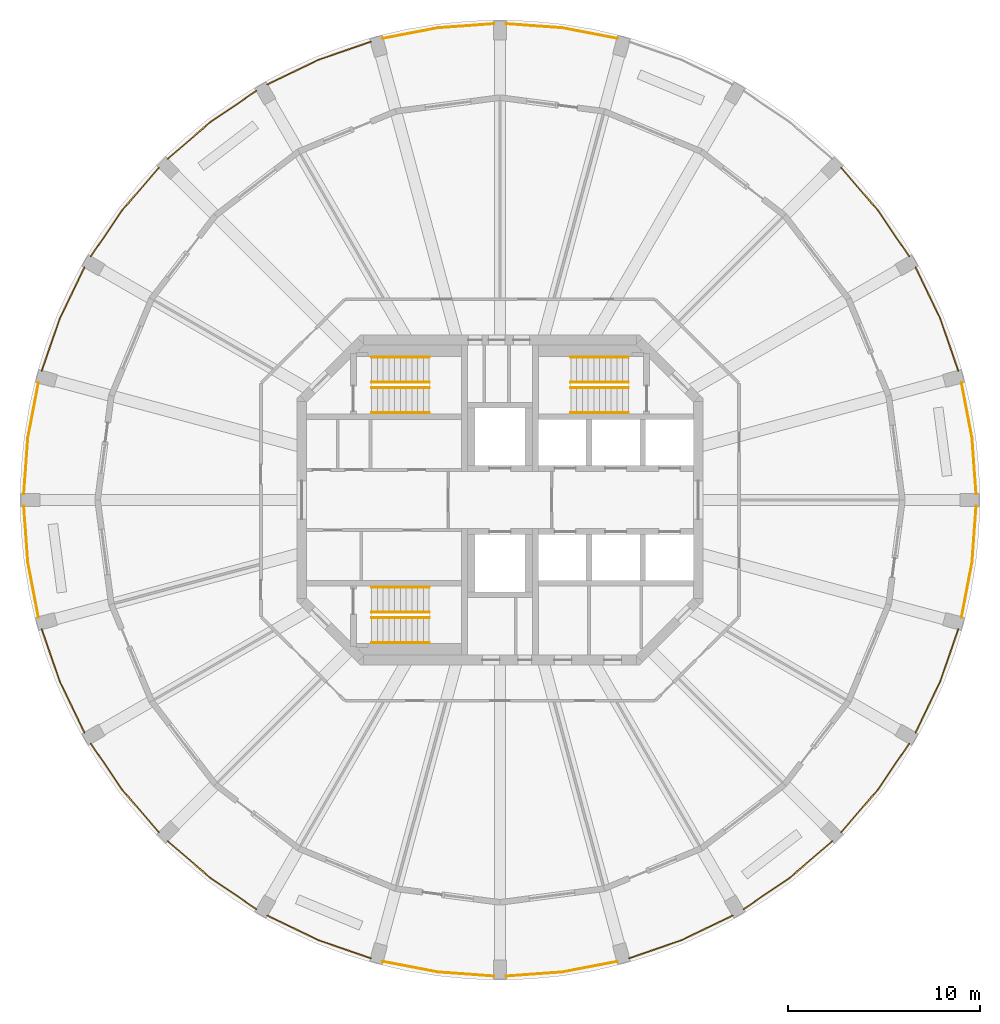
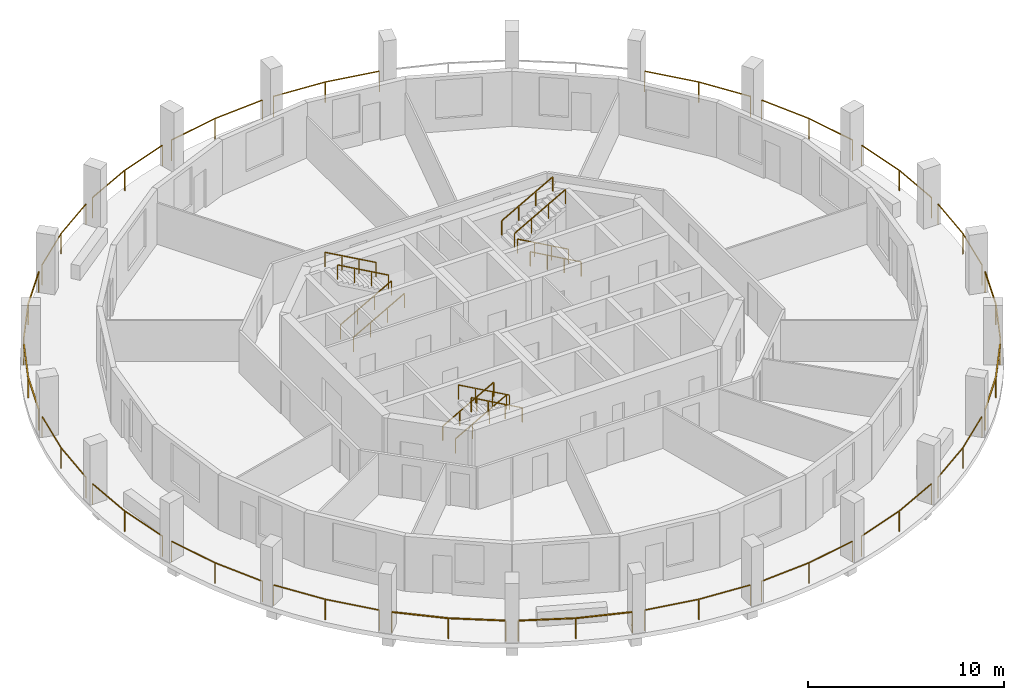
# One storey, part 7 of 8: 34 railings.
"""IFC4 building model written with IfcOpenShell, lengths in metres."""

from ifc_helpers import new_model, si_unit, direction, frame, origin, origin_2d, place, context, subcontext, project, spatial, rectangle, extrude, material, type_object, element, save


model = new_model("IFC4")

# Units and contexts
model_context = context("Model", 3, precision=1e-05, world=origin(), true_north=direction((0.0, 1.0)))
body_context = subcontext(model_context, "Body", "Model", "MODEL_VIEW")
ifc_project = project(units=[si_unit("LENGTHUNIT", "METRE"), si_unit("AREAUNIT", "SQUARE_METRE"), si_unit("VOLUMEUNIT", "CUBIC_METRE"), si_unit("PLANEANGLEUNIT", "RADIAN"), si_unit("MASSUNIT", "GRAM", prefix="KILO")], contexts=[model_context])

# Site, building, storey
site_placement = place(None, origin())
site = spatial("IfcSite", under=ifc_project, at=site_placement, CompositionType="ELEMENT")
building_placement = place(site_placement, origin())
building = spatial("IfcBuilding", under=site, at=building_placement, Name="Torre Triforio", CompositionType="ELEMENT")
storey_placement = place(building_placement, frame((0.0, 0.0, 253.800048828125)))
storey = spatial("IfcBuildingStorey", under=building, at=storey_placement, Name="L58", CompositionType="ELEMENT", Elevation=253.800048828125)

# Railings
ifc_material = material(Name="Stainless steel AISI 316", Category="steel")
railing_type_1 = type_object("IfcRailingType", Name="HANDRAIL 920", PredefinedType="HANDRAIL", material=ifc_material)
for number, where, name in (
    (1, (-6.699951171875, 4.550048828125, 0.168212890625), "Handrail ST1"),
    (2, (-6.699951171875, 5.85009765625, 0.168212890625), "Handrail ST1"),
):
    element("IfcRailing", number, at=place(storey_placement, frame(where)), inside=storey, type_object=railing_type_1, Name=name, PredefinedType="HANDRAIL", context=body_context, shape_type="SweptSolid", body=[
        extrude(rectangle(XDim=0.048095703125, YDim=0.048095703125, at=origin_2d()), frame((0.0, 0.0, 0.89599609375), z_axis=(0.872302573547, 0.0, 0.488966481656), x_axis=(0.0, 1.0, 0.0)), (0.0, 0.0, 1.0), 3.439208984375),
        extrude(rectangle(XDim=0.0419921875, YDim=0.0419921875, at=origin_2d()), origin(), (0.0, 0.0, 1.0), 0.871826171875),
        extrude(rectangle(XDim=0.0419921875, YDim=0.0419921875, at=origin_2d()), frame((1.0, 0.0, 0.560546875)), (0.0, 0.0, 1.0), 0.871826171875),
        extrude(rectangle(XDim=0.0419921875, YDim=0.0419921875, at=origin_2d()), frame((2.0, 0.0, 1.12109375)), (0.0, 0.0, 1.0), 0.871826171875),
        extrude(rectangle(XDim=0.0419921875, YDim=0.0419921875, at=origin_2d()), frame((3.0, 0.0, 1.681640625)), (0.0, 0.0, 1.0), 0.871826171875),
    ])
for number, where, name in (
    (3, (-3.699951171875, 7.449951171875, 2.01806640625), "Handrail ST1"),
    (4, (-3.699951171875, 6.14990234375, 2.01806640625), "Handrail ST1"),
):
    element("IfcRailing", number, at=place(storey_placement, frame(where)), inside=storey, type_object=railing_type_1, Name=name, PredefinedType="HANDRAIL", context=body_context, shape_type="SweptSolid", body=[
        extrude(rectangle(XDim=0.048095703125, YDim=0.048095703125, at=origin_2d()), frame((0.0, 0.0, 0.89599609375), z_axis=(-0.872272294576, 0.0, 0.489020494575), x_axis=(0.0, -1.0, 0.0)), (0.0, 0.0, 1.0), 3.439208984375),
        extrude(rectangle(XDim=0.0419921875, YDim=0.0419921875, at=origin_2d()), origin(), (0.0, 0.0, 1.0), 0.871826171875),
        extrude(rectangle(XDim=0.0419921875, YDim=0.0419921875, at=origin_2d()), frame((-1.0, 0.0, 0.560546875)), (0.0, 0.0, 1.0), 0.871826171875),
        extrude(rectangle(XDim=0.0419921875, YDim=0.0419921875, at=origin_2d()), frame((-2.0, 0.0, 1.121337890625)), (0.0, 0.0, 1.0), 0.871826171875),
        extrude(rectangle(XDim=0.0419921875, YDim=0.0419921875, at=origin_2d()), frame((-3.0, 0.0, 1.681884765625)), (0.0, 0.0, 1.0), 0.871826171875),
    ])
for number, where, name in (
    (5, (6.699951171875, 4.550048828125, 0.168212890625), "Handrail ST2"),
    (6, (6.699951171875, 5.85009765625, 0.168212890625), "Handrail ST2"),
):
    element("IfcRailing", number, at=place(storey_placement, frame(where)), inside=storey, type_object=railing_type_1, Name=name, PredefinedType="HANDRAIL", context=body_context, shape_type="SweptSolid", body=[
        extrude(rectangle(XDim=0.048095703125, YDim=0.048095703125, at=origin_2d()), frame((0.0, 0.0, 0.89599609375), z_axis=(-0.872302573547, 0.0, 0.488966481656), x_axis=(0.0, -1.0, 0.0)), (0.0, 0.0, 1.0), 3.439208984375),
        extrude(rectangle(XDim=0.0419921875, YDim=0.0419921875, at=origin_2d()), origin(), (0.0, 0.0, 1.0), 0.871826171875),
        extrude(rectangle(XDim=0.0419921875, YDim=0.0419921875, at=origin_2d()), frame((-1.0, 0.0, 0.560546875)), (0.0, 0.0, 1.0), 0.871826171875),
        extrude(rectangle(XDim=0.0419921875, YDim=0.0419921875, at=origin_2d()), frame((-2.0, 0.0, 1.12109375)), (0.0, 0.0, 1.0), 0.871826171875),
        extrude(rectangle(XDim=0.0419921875, YDim=0.0419921875, at=origin_2d()), frame((-3.0, 0.0, 1.681640625)), (0.0, 0.0, 1.0), 0.871826171875),
    ])
for number, where, name in (
    (7, (3.699951171875, 7.449951171875, 2.01806640625), "Handrail ST2"),
    (8, (3.699951171875, 6.14990234375, 2.01806640625), "Handrail ST2"),
):
    element("IfcRailing", number, at=place(storey_placement, frame(where)), inside=storey, type_object=railing_type_1, Name=name, PredefinedType="HANDRAIL", context=body_context, shape_type="SweptSolid", body=[
        extrude(rectangle(XDim=0.048095703125, YDim=0.048095703125, at=origin_2d()), frame((0.0, 0.0, 0.89599609375), z_axis=(0.872272294576, 0.0, 0.489020494575), x_axis=(0.0, 1.0, 0.0)), (0.0, 0.0, 1.0), 3.439208984375),
        extrude(rectangle(XDim=0.0419921875, YDim=0.0419921875, at=origin_2d()), origin(), (0.0, 0.0, 1.0), 0.871826171875),
        extrude(rectangle(XDim=0.0419921875, YDim=0.0419921875, at=origin_2d()), frame((1.0, 0.0, 0.560546875)), (0.0, 0.0, 1.0), 0.871826171875),
        extrude(rectangle(XDim=0.0419921875, YDim=0.0419921875, at=origin_2d()), frame((2.0, 0.0, 1.121337890625)), (0.0, 0.0, 1.0), 0.871826171875),
        extrude(rectangle(XDim=0.0419921875, YDim=0.0419921875, at=origin_2d()), frame((3.0, 0.0, 1.681884765625)), (0.0, 0.0, 1.0), 0.871826171875),
    ])
for number, where, name in (
    (9, (-6.699951171875, -4.550048828125, 0.168212890625), "Handrail ST3"),
    (10, (-6.699951171875, -5.85009765625, 0.168212890625), "Handrail ST3"),
):
    element("IfcRailing", number, at=place(storey_placement, frame(where)), inside=storey, type_object=railing_type_1, Name=name, PredefinedType="HANDRAIL", context=body_context, shape_type="SweptSolid", body=[
        extrude(rectangle(XDim=0.048095703125, YDim=0.048095703125, at=origin_2d()), frame((0.0, 0.0, 0.89599609375), z_axis=(0.872302573547, 0.0, 0.488966481656), x_axis=(0.0, 1.0, 0.0)), (0.0, 0.0, 1.0), 3.439208984375),
        extrude(rectangle(XDim=0.0419921875, YDim=0.0419921875, at=origin_2d()), origin(), (0.0, 0.0, 1.0), 0.871826171875),
        extrude(rectangle(XDim=0.0419921875, YDim=0.0419921875, at=origin_2d()), frame((1.0, 0.0, 0.560546875)), (0.0, 0.0, 1.0), 0.871826171875),
        extrude(rectangle(XDim=0.0419921875, YDim=0.0419921875, at=origin_2d()), frame((2.0, 0.0, 1.12109375)), (0.0, 0.0, 1.0), 0.871826171875),
        extrude(rectangle(XDim=0.0419921875, YDim=0.0419921875, at=origin_2d()), frame((3.0, 0.0, 1.681640625)), (0.0, 0.0, 1.0), 0.871826171875),
    ])
for number, where, name in (
    (11, (-3.699951171875, -7.449951171875, 2.01806640625), "Handrail ST3"),
    (12, (-3.699951171875, -6.14990234375, 2.01806640625), "Handrail ST3"),
):
    element("IfcRailing", number, at=place(storey_placement, frame(where)), inside=storey, type_object=railing_type_1, Name=name, PredefinedType="HANDRAIL", context=body_context, shape_type="SweptSolid", body=[
        extrude(rectangle(XDim=0.048095703125, YDim=0.048095703125, at=origin_2d()), frame((0.0, 0.0, 0.89599609375), z_axis=(-0.872272294576, 0.0, 0.489020494575), x_axis=(0.0, -1.0, 0.0)), (0.0, 0.0, 1.0), 3.439208984375),
        extrude(rectangle(XDim=0.0419921875, YDim=0.0419921875, at=origin_2d()), origin(), (0.0, 0.0, 1.0), 0.871826171875),
        extrude(rectangle(XDim=0.0419921875, YDim=0.0419921875, at=origin_2d()), frame((-1.0, 0.0, 0.560546875)), (0.0, 0.0, 1.0), 0.871826171875),
        extrude(rectangle(XDim=0.0419921875, YDim=0.0419921875, at=origin_2d()), frame((-2.0, 0.0, 1.121337890625)), (0.0, 0.0, 1.0), 0.871826171875),
        extrude(rectangle(XDim=0.0419921875, YDim=0.0419921875, at=origin_2d()), frame((-3.0, 0.0, 1.681884765625)), (0.0, 0.0, 1.0), 0.871826171875),
    ])
railing_type_2 = type_object("IfcRailingType", Name="Loggia guard 1300", PredefinedType="GUARDRAIL", material=ifc_material)
railing_1_placement = place(storey_placement, frame((24.85009765625, 0.320068359375, 0.0)))
element("IfcRailing", 13, at=railing_1_placement, inside=storey, type_object=railing_type_2, Name="Loggia guard L58 bay 01", PredefinedType="GUARDRAIL", context=body_context, shape_type="SweptSolid", body=[
    extrude(rectangle(XDim=0.050048828125, YDim=0.050048828125, at=origin_2d()), frame((0.0, 0.0, 1.27490234375), z_axis=(-0.072543227511, 0.997365269168, 0.0), x_axis=(-0.997365269168, -0.072543227511, 0.0)), (0.0, 0.0, 1.0), 2.931396484375),
    extrude(rectangle(XDim=0.050048828125, YDim=0.050048828125, at=origin_2d()), frame((-0.212646484375, 2.923583984375, 1.27490234375), z_axis=(-0.188068851895, 0.982155846568, 0.0), x_axis=(-0.982155846568, -0.188068851895, 0.0)), (0.0, 0.0, 1.0), 2.93115234375),
    extrude(rectangle(XDim=0.0400390625, YDim=0.0400390625, at=origin_2d()), origin(), (0.0, 0.0, 1.0), 1.25),
    extrude(rectangle(XDim=0.0400390625, YDim=0.0400390625, at=origin_2d()), frame((-0.212646484375, 2.923583984375, 0.0)), (0.0, 0.0, 1.0), 1.25),
    extrude(rectangle(XDim=0.0400390625, YDim=0.0400390625, at=origin_2d()), frame((-0.763916015625, 5.802490234375, 0.0)), (0.0, 0.0, 1.0), 1.25),
])
railing_2_placement = place(storey_placement, frame((23.92041015625, 6.74072265625, 0.0)))
element("IfcRailing", 14, at=railing_2_placement, inside=storey, type_object=railing_type_2, Name="Loggia guard L58 bay 02", PredefinedType="GUARDRAIL", context=body_context, shape_type="SweptSolid", body=[
    extrude(rectangle(XDim=0.050048828125, YDim=0.050048828125, at=origin_2d()), frame((0.0, 0.0, 1.27490234375), z_axis=(-0.328145883403, 0.944627058264, 0.0), x_axis=(-0.944627058264, -0.328145883403, 0.0)), (0.0, 0.0, 1.0), 2.931396484375),
    extrude(rectangle(XDim=0.050048828125, YDim=0.050048828125, at=origin_2d()), frame((-0.9619140625, 2.76904296875, 1.27490234375), z_axis=(-0.435917913275, 0.899986429279, 0.0), x_axis=(-0.899986429279, -0.435917913275, 0.0)), (0.0, 0.0, 1.0), 2.931396484375),
    extrude(rectangle(XDim=0.0400390625, YDim=0.0400390625, at=origin_2d()), origin(), (0.0, 0.0, 1.0), 1.25),
    extrude(rectangle(XDim=0.0400390625, YDim=0.0400390625, at=origin_2d()), frame((-0.9619140625, 2.76904296875, 0.0)), (0.0, 0.0, 1.0), 1.25),
    extrude(rectangle(XDim=0.0400390625, YDim=0.0400390625, at=origin_2d()), frame((-2.23974609375, 5.4072265625, 0.0)), (0.0, 0.0, 1.0), 1.25),
])
railing_3_placement = place(storey_placement, frame((21.360595703125, 12.7021484375, 0.0)))
element("IfcRailing", 15, at=railing_3_placement, inside=storey, type_object=railing_type_2, Name="Loggia guard L58 bay 03", PredefinedType="GUARDRAIL", context=body_context, shape_type="SweptSolid", body=[
    extrude(rectangle(XDim=0.050048828125, YDim=0.050048828125, at=origin_2d()), frame((0.0, 0.0, 1.27490234375), z_axis=(-0.561466791934, 0.827499269821, 0.0), x_axis=(-0.827499269821, -0.561466791934, 0.0)), (0.0, 0.0, 1.0), 2.93115234375),
    extrude(rectangle(XDim=0.050048828125, YDim=0.050048828125, at=origin_2d()), frame((-1.645751953125, 2.425537109375, 1.27490234375), z_axis=(-0.653981928353, 0.756510170049, 0.0), x_axis=(-0.756510170049, -0.653981928353, 0.0)), (0.0, 0.0, 1.0), 2.93115234375),
    extrude(rectangle(XDim=0.0400390625, YDim=0.0400390625, at=origin_2d()), origin(), (0.0, 0.0, 1.0), 1.25),
    extrude(rectangle(XDim=0.0400390625, YDim=0.0400390625, at=origin_2d()), frame((-1.645751953125, 2.425537109375, 0.0)), (0.0, 0.0, 1.0), 1.25),
    extrude(rectangle(XDim=0.0400390625, YDim=0.0400390625, at=origin_2d()), frame((-3.562744140625, 4.64306640625, 0.0)), (0.0, 0.0, 1.0), 1.25),
])
railing_4_placement = place(storey_placement, frame((6.12255859375, 24.086181640625, 0.0)))
element("IfcRailing", 16, at=railing_4_placement, inside=storey, type_object=railing_type_2, Name="Loggia guard L58 bay 06", PredefinedType="GUARDRAIL", context=body_context, shape_type="SweptSolid", body=[
    extrude(rectangle(XDim=0.050048828125, YDim=0.050048828125, at=origin_2d()), frame((0.0, 0.0, 1.27490234375), z_axis=(-0.982155846568, 0.188068851895, 0.0), x_axis=(-0.188068851895, -0.982155846568, 0.0)), (0.0, 0.0, 1.0), 2.93115234375),
    extrude(rectangle(XDim=0.050048828125, YDim=0.050048828125, at=origin_2d()), frame((-2.87890625, 0.55126953125, 1.27490234375), z_axis=(-0.997365269168, 0.072543227511, 0.0), x_axis=(-0.072543227511, -0.997365269168, 0.0)), (0.0, 0.0, 1.0), 2.931396484375),
    extrude(rectangle(XDim=0.0400390625, YDim=0.0400390625, at=origin_2d()), origin(), (0.0, 0.0, 1.0), 1.25),
    extrude(rectangle(XDim=0.0400390625, YDim=0.0400390625, at=origin_2d()), frame((-2.87890625, 0.55126953125, 0.0)), (0.0, 0.0, 1.0), 1.25),
    extrude(rectangle(XDim=0.0400390625, YDim=0.0400390625, at=origin_2d()), frame((-5.802490234375, 0.763916015625, 0.0)), (0.0, 0.0, 1.0), 1.25),
])
railing_5_placement = place(storey_placement, frame((-0.320068359375, 24.85009765625, 0.0)))
element("IfcRailing", 17, at=railing_5_placement, inside=storey, type_object=railing_type_2, Name="Loggia guard L58 bay 07", PredefinedType="GUARDRAIL", context=body_context, shape_type="SweptSolid", body=[
    extrude(rectangle(XDim=0.050048828125, YDim=0.050048828125, at=origin_2d()), frame((0.0, 0.0, 1.27490234375), z_axis=(-0.997365269168, -0.072543227511, 0.0), x_axis=(0.072543227511, -0.997365269168, 0.0)), (0.0, 0.0, 1.0), 2.931396484375),
    extrude(rectangle(XDim=0.050048828125, YDim=0.050048828125, at=origin_2d()), frame((-2.923583984375, -0.212646484375, 1.27490234375), z_axis=(-0.982155846568, -0.188068851895, 0.0), x_axis=(0.188068851895, -0.982155846568, 0.0)), (0.0, 0.0, 1.0), 2.93115234375),
    extrude(rectangle(XDim=0.0400390625, YDim=0.0400390625, at=origin_2d()), origin(), (0.0, 0.0, 1.0), 1.25),
    extrude(rectangle(XDim=0.0400390625, YDim=0.0400390625, at=origin_2d()), frame((-2.923583984375, -0.212646484375, 0.0)), (0.0, 0.0, 1.0), 1.25),
    extrude(rectangle(XDim=0.0400390625, YDim=0.0400390625, at=origin_2d()), frame((-5.802490234375, -0.763916015625, 0.0)), (0.0, 0.0, 1.0), 1.25),
])
railing_6_placement = place(storey_placement, frame((-6.74072265625, 23.92041015625, 0.0)))
element("IfcRailing", 18, at=railing_6_placement, inside=storey, type_object=railing_type_2, Name="Loggia guard L58 bay 08", PredefinedType="GUARDRAIL", context=body_context, shape_type="SweptSolid", body=[
    extrude(rectangle(XDim=0.050048828125, YDim=0.050048828125, at=origin_2d()), frame((0.0, 0.0, 1.27490234375), z_axis=(-0.944627058264, -0.328145883403, 0.0), x_axis=(0.328145883403, -0.944627058264, 0.0)), (0.0, 0.0, 1.0), 2.931396484375),
    extrude(rectangle(XDim=0.050048828125, YDim=0.050048828125, at=origin_2d()), frame((-2.76904296875, -0.9619140625, 1.27490234375), z_axis=(-0.899986429279, -0.435917913275, 0.0), x_axis=(0.435917913275, -0.899986429279, 0.0)), (0.0, 0.0, 1.0), 2.931396484375),
    extrude(rectangle(XDim=0.0400390625, YDim=0.0400390625, at=origin_2d()), origin(), (0.0, 0.0, 1.0), 1.25),
    extrude(rectangle(XDim=0.0400390625, YDim=0.0400390625, at=origin_2d()), frame((-2.76904296875, -0.9619140625, 0.0)), (0.0, 0.0, 1.0), 1.25),
    extrude(rectangle(XDim=0.0400390625, YDim=0.0400390625, at=origin_2d()), frame((-5.4072265625, -2.23974609375, 0.0)), (0.0, 0.0, 1.0), 1.25),
])
railing_7_placement = place(storey_placement, frame((-12.7021484375, 21.360595703125, 0.0)))
element("IfcRailing", 19, at=railing_7_placement, inside=storey, type_object=railing_type_2, Name="Loggia guard L58 bay 09", PredefinedType="GUARDRAIL", context=body_context, shape_type="SweptSolid", body=[
    extrude(rectangle(XDim=0.050048828125, YDim=0.050048828125, at=origin_2d()), frame((0.0, 0.0, 1.27490234375), z_axis=(-0.827499269821, -0.561466791934, 0.0), x_axis=(0.561466791934, -0.827499269821, 0.0)), (0.0, 0.0, 1.0), 2.93115234375),
    extrude(rectangle(XDim=0.050048828125, YDim=0.050048828125, at=origin_2d()), frame((-2.425537109375, -1.645751953125, 1.27490234375), z_axis=(-0.756510170049, -0.653981928353, 0.0), x_axis=(0.653981928353, -0.756510170049, 0.0)), (0.0, 0.0, 1.0), 2.93115234375),
    extrude(rectangle(XDim=0.0400390625, YDim=0.0400390625, at=origin_2d()), origin(), (0.0, 0.0, 1.0), 1.25),
    extrude(rectangle(XDim=0.0400390625, YDim=0.0400390625, at=origin_2d()), frame((-2.425537109375, -1.645751953125, 0.0)), (0.0, 0.0, 1.0), 1.25),
    extrude(rectangle(XDim=0.0400390625, YDim=0.0400390625, at=origin_2d()), frame((-4.64306640625, -3.562744140625, 0.0)), (0.0, 0.0, 1.0), 1.25),
])
railing_8_placement = place(storey_placement, frame((-17.7978515625, 17.34521484375, 0.0)))
element("IfcRailing", 20, at=railing_8_placement, inside=storey, type_object=railing_type_2, Name="Loggia guard L58 bay 10", PredefinedType="GUARDRAIL", context=body_context, shape_type="SweptSolid", body=[
    extrude(rectangle(XDim=0.050048828125, YDim=0.050048828125, at=origin_2d()), frame((0.0, 0.0, 1.27490234375), z_axis=(-0.653981928353, -0.756510170049, 0.0), x_axis=(0.756510170049, -0.653981928353, 0.0)), (0.0, 0.0, 1.0), 2.93115234375),
    extrude(rectangle(XDim=0.050048828125, YDim=0.050048828125, at=origin_2d()), frame((-1.9169921875, -2.217529296875, 1.27490234375), z_axis=(-0.561466791934, -0.827499269821, 0.0), x_axis=(0.827499269821, -0.561466791934, 0.0)), (0.0, 0.0, 1.0), 2.93115234375),
    extrude(rectangle(XDim=0.0400390625, YDim=0.0400390625, at=origin_2d()), origin(), (0.0, 0.0, 1.0), 1.25),
    extrude(rectangle(XDim=0.0400390625, YDim=0.0400390625, at=origin_2d()), frame((-1.9169921875, -2.217529296875, 0.0)), (0.0, 0.0, 1.0), 1.25),
    extrude(rectangle(XDim=0.0400390625, YDim=0.0400390625, at=origin_2d()), frame((-3.562744140625, -4.64306640625, 0.0)), (0.0, 0.0, 1.0), 1.25),
])
railing_9_placement = place(storey_placement, frame((-21.6806640625, 12.14794921875, 0.0)))
element("IfcRailing", 21, at=railing_9_placement, inside=storey, type_object=railing_type_2, Name="Loggia guard L58 bay 11", PredefinedType="GUARDRAIL", context=body_context, shape_type="SweptSolid", body=[
    extrude(rectangle(XDim=0.050048828125, YDim=0.050048828125, at=origin_2d()), frame((0.0, 0.0, 1.27490234375), z_axis=(-0.435917913275, -0.899986429279, 0.0), x_axis=(0.899986429279, -0.435917913275, 0.0)), (0.0, 0.0, 1.0), 2.931396484375),
    extrude(rectangle(XDim=0.050048828125, YDim=0.050048828125, at=origin_2d()), frame((-1.27783203125, -2.63818359375, 1.27490234375), z_axis=(-0.328145883403, -0.944627058264, 0.0), x_axis=(0.944627058264, -0.328145883403, 0.0)), (0.0, 0.0, 1.0), 2.931396484375),
    extrude(rectangle(XDim=0.0400390625, YDim=0.0400390625, at=origin_2d()), origin(), (0.0, 0.0, 1.0), 1.25),
    extrude(rectangle(XDim=0.0400390625, YDim=0.0400390625, at=origin_2d()), frame((-1.27783203125, -2.63818359375, 0.0)), (0.0, 0.0, 1.0), 1.25),
    extrude(rectangle(XDim=0.0400390625, YDim=0.0400390625, at=origin_2d()), frame((-2.23974609375, -5.4072265625, 0.0)), (0.0, 0.0, 1.0), 1.25),
])
railing_10_placement = place(storey_placement, frame((-24.086181640625, 6.12255859375, 0.0)))
element("IfcRailing", 22, at=railing_10_placement, inside=storey, type_object=railing_type_2, Name="Loggia guard L58 bay 12", PredefinedType="GUARDRAIL", context=body_context, shape_type="SweptSolid", body=[
    extrude(rectangle(XDim=0.050048828125, YDim=0.050048828125, at=origin_2d()), frame((0.0, 0.0, 1.27490234375), z_axis=(-0.188068851895, -0.982155846568, 0.0), x_axis=(0.982155846568, -0.188068851895, 0.0)), (0.0, 0.0, 1.0), 2.93115234375),
    extrude(rectangle(XDim=0.050048828125, YDim=0.050048828125, at=origin_2d()), frame((-0.55126953125, -2.87890625, 1.27490234375), z_axis=(-0.072543227511, -0.997365269168, 0.0), x_axis=(0.997365269168, -0.072543227511, 0.0)), (0.0, 0.0, 1.0), 2.931396484375),
    extrude(rectangle(XDim=0.0400390625, YDim=0.0400390625, at=origin_2d()), origin(), (0.0, 0.0, 1.0), 1.25),
    extrude(rectangle(XDim=0.0400390625, YDim=0.0400390625, at=origin_2d()), frame((-0.55126953125, -2.87890625, 0.0)), (0.0, 0.0, 1.0), 1.25),
    extrude(rectangle(XDim=0.0400390625, YDim=0.0400390625, at=origin_2d()), frame((-0.763916015625, -5.802490234375, 0.0)), (0.0, 0.0, 1.0), 1.25),
])
railing_11_placement = place(storey_placement, frame((-24.85009765625, -0.320068359375, 0.0)))
element("IfcRailing", 23, at=railing_11_placement, inside=storey, type_object=railing_type_2, Name="Loggia guard L58 bay 13", PredefinedType="GUARDRAIL", context=body_context, shape_type="SweptSolid", body=[
    extrude(rectangle(XDim=0.050048828125, YDim=0.050048828125, at=origin_2d()), frame((0.0, 0.0, 1.27490234375), z_axis=(0.072543227511, -0.997365269168, 0.0), x_axis=(0.997365269168, 0.072543227511, 0.0)), (0.0, 0.0, 1.0), 2.931396484375),
    extrude(rectangle(XDim=0.050048828125, YDim=0.050048828125, at=origin_2d()), frame((0.212646484375, -2.923583984375, 1.27490234375), z_axis=(0.188068851895, -0.982155846568, 0.0), x_axis=(0.982155846568, 0.188068851895, 0.0)), (0.0, 0.0, 1.0), 2.93115234375),
    extrude(rectangle(XDim=0.0400390625, YDim=0.0400390625, at=origin_2d()), origin(), (0.0, 0.0, 1.0), 1.25),
    extrude(rectangle(XDim=0.0400390625, YDim=0.0400390625, at=origin_2d()), frame((0.212646484375, -2.923583984375, 0.0)), (0.0, 0.0, 1.0), 1.25),
    extrude(rectangle(XDim=0.0400390625, YDim=0.0400390625, at=origin_2d()), frame((0.763916015625, -5.802490234375, 0.0)), (0.0, 0.0, 1.0), 1.25),
])
railing_12_placement = place(storey_placement, frame((-23.92041015625, -6.74072265625, 0.0)))
element("IfcRailing", 24, at=railing_12_placement, inside=storey, type_object=railing_type_2, Name="Loggia guard L58 bay 14", PredefinedType="GUARDRAIL", context=body_context, shape_type="SweptSolid", body=[
    extrude(rectangle(XDim=0.050048828125, YDim=0.050048828125, at=origin_2d()), frame((0.0, 0.0, 1.27490234375), z_axis=(0.328145883403, -0.944627058264, 0.0), x_axis=(0.944627058264, 0.328145883403, 0.0)), (0.0, 0.0, 1.0), 2.931396484375),
    extrude(rectangle(XDim=0.050048828125, YDim=0.050048828125, at=origin_2d()), frame((0.9619140625, -2.76904296875, 1.27490234375), z_axis=(0.435917913275, -0.899986429279, 0.0), x_axis=(0.899986429279, 0.435917913275, 0.0)), (0.0, 0.0, 1.0), 2.931396484375),
    extrude(rectangle(XDim=0.0400390625, YDim=0.0400390625, at=origin_2d()), origin(), (0.0, 0.0, 1.0), 1.25),
    extrude(rectangle(XDim=0.0400390625, YDim=0.0400390625, at=origin_2d()), frame((0.9619140625, -2.76904296875, 0.0)), (0.0, 0.0, 1.0), 1.25),
    extrude(rectangle(XDim=0.0400390625, YDim=0.0400390625, at=origin_2d()), frame((2.23974609375, -5.4072265625, 0.0)), (0.0, 0.0, 1.0), 1.25),
])
railing_13_placement = place(storey_placement, frame((-21.360595703125, -12.7021484375, 0.0)))
element("IfcRailing", 25, at=railing_13_placement, inside=storey, type_object=railing_type_2, Name="Loggia guard L58 bay 15", PredefinedType="GUARDRAIL", context=body_context, shape_type="SweptSolid", body=[
    extrude(rectangle(XDim=0.050048828125, YDim=0.050048828125, at=origin_2d()), frame((0.0, 0.0, 1.27490234375), z_axis=(0.561466791934, -0.827499269821, 0.0), x_axis=(0.827499269821, 0.561466791934, 0.0)), (0.0, 0.0, 1.0), 2.93115234375),
    extrude(rectangle(XDim=0.050048828125, YDim=0.050048828125, at=origin_2d()), frame((1.645751953125, -2.425537109375, 1.27490234375), z_axis=(0.653981928353, -0.756510170049, 0.0), x_axis=(0.756510170049, 0.653981928353, 0.0)), (0.0, 0.0, 1.0), 2.93115234375),
    extrude(rectangle(XDim=0.0400390625, YDim=0.0400390625, at=origin_2d()), origin(), (0.0, 0.0, 1.0), 1.25),
    extrude(rectangle(XDim=0.0400390625, YDim=0.0400390625, at=origin_2d()), frame((1.645751953125, -2.425537109375, 0.0)), (0.0, 0.0, 1.0), 1.25),
    extrude(rectangle(XDim=0.0400390625, YDim=0.0400390625, at=origin_2d()), frame((3.562744140625, -4.64306640625, 0.0)), (0.0, 0.0, 1.0), 1.25),
])
railing_14_placement = place(storey_placement, frame((-17.34521484375, -17.7978515625, 0.0)))
element("IfcRailing", 26, at=railing_14_placement, inside=storey, type_object=railing_type_2, Name="Loggia guard L58 bay 16", PredefinedType="GUARDRAIL", context=body_context, shape_type="SweptSolid", body=[
    extrude(rectangle(XDim=0.050048828125, YDim=0.050048828125, at=origin_2d()), frame((0.0, 0.0, 1.27490234375), z_axis=(0.756510170049, -0.653981928353, 0.0), x_axis=(0.653981928353, 0.756510170049, 0.0)), (0.0, 0.0, 1.0), 2.93115234375),
    extrude(rectangle(XDim=0.050048828125, YDim=0.050048828125, at=origin_2d()), frame((2.217529296875, -1.9169921875, 1.27490234375), z_axis=(0.827499269821, -0.561466791934, 0.0), x_axis=(0.561466791934, 0.827499269821, 0.0)), (0.0, 0.0, 1.0), 2.93115234375),
    extrude(rectangle(XDim=0.0400390625, YDim=0.0400390625, at=origin_2d()), origin(), (0.0, 0.0, 1.0), 1.25),
    extrude(rectangle(XDim=0.0400390625, YDim=0.0400390625, at=origin_2d()), frame((2.217529296875, -1.9169921875, 0.0)), (0.0, 0.0, 1.0), 1.25),
    extrude(rectangle(XDim=0.0400390625, YDim=0.0400390625, at=origin_2d()), frame((4.64306640625, -3.562744140625, 0.0)), (0.0, 0.0, 1.0), 1.25),
])
railing_15_placement = place(storey_placement, frame((-12.14794921875, -21.6806640625, 0.0)))
element("IfcRailing", 27, at=railing_15_placement, inside=storey, type_object=railing_type_2, Name="Loggia guard L58 bay 17", PredefinedType="GUARDRAIL", context=body_context, shape_type="SweptSolid", body=[
    extrude(rectangle(XDim=0.050048828125, YDim=0.050048828125, at=origin_2d()), frame((0.0, 0.0, 1.27490234375), z_axis=(0.899986429279, -0.435917913275, 0.0), x_axis=(0.435917913275, 0.899986429279, 0.0)), (0.0, 0.0, 1.0), 2.931396484375),
    extrude(rectangle(XDim=0.050048828125, YDim=0.050048828125, at=origin_2d()), frame((2.63818359375, -1.27783203125, 1.27490234375), z_axis=(0.944627058264, -0.328145883403, 0.0), x_axis=(0.328145883403, 0.944627058264, 0.0)), (0.0, 0.0, 1.0), 2.931396484375),
    extrude(rectangle(XDim=0.0400390625, YDim=0.0400390625, at=origin_2d()), origin(), (0.0, 0.0, 1.0), 1.25),
    extrude(rectangle(XDim=0.0400390625, YDim=0.0400390625, at=origin_2d()), frame((2.63818359375, -1.27783203125, 0.0)), (0.0, 0.0, 1.0), 1.25),
    extrude(rectangle(XDim=0.0400390625, YDim=0.0400390625, at=origin_2d()), frame((5.4072265625, -2.23974609375, 0.0)), (0.0, 0.0, 1.0), 1.25),
])
railing_16_placement = place(storey_placement, frame((-6.12255859375, -24.086181640625, 0.0)))
element("IfcRailing", 28, at=railing_16_placement, inside=storey, type_object=railing_type_2, Name="Loggia guard L58 bay 18", PredefinedType="GUARDRAIL", context=body_context, shape_type="SweptSolid", body=[
    extrude(rectangle(XDim=0.050048828125, YDim=0.050048828125, at=origin_2d()), frame((0.0, 0.0, 1.27490234375), z_axis=(0.982155846568, -0.188068851895, 0.0), x_axis=(0.188068851895, 0.982155846568, 0.0)), (0.0, 0.0, 1.0), 2.93115234375),
    extrude(rectangle(XDim=0.050048828125, YDim=0.050048828125, at=origin_2d()), frame((2.87890625, -0.55126953125, 1.27490234375), z_axis=(0.997365269168, -0.072543227511, 0.0), x_axis=(0.072543227511, 0.997365269168, 0.0)), (0.0, 0.0, 1.0), 2.931396484375),
    extrude(rectangle(XDim=0.0400390625, YDim=0.0400390625, at=origin_2d()), origin(), (0.0, 0.0, 1.0), 1.25),
    extrude(rectangle(XDim=0.0400390625, YDim=0.0400390625, at=origin_2d()), frame((2.87890625, -0.55126953125, 0.0)), (0.0, 0.0, 1.0), 1.25),
    extrude(rectangle(XDim=0.0400390625, YDim=0.0400390625, at=origin_2d()), frame((5.802490234375, -0.763916015625, 0.0)), (0.0, 0.0, 1.0), 1.25),
])
railing_17_placement = place(storey_placement, frame((0.320068359375, -24.85009765625, 0.0)))
element("IfcRailing", 29, at=railing_17_placement, inside=storey, type_object=railing_type_2, Name="Loggia guard L58 bay 19", PredefinedType="GUARDRAIL", context=body_context, shape_type="SweptSolid", body=[
    extrude(rectangle(XDim=0.050048828125, YDim=0.050048828125, at=origin_2d()), frame((0.0, 0.0, 1.27490234375), z_axis=(0.997365269168, 0.072543227511, 0.0), x_axis=(-0.072543227511, 0.997365269168, 0.0)), (0.0, 0.0, 1.0), 2.931396484375),
    extrude(rectangle(XDim=0.050048828125, YDim=0.050048828125, at=origin_2d()), frame((2.923583984375, 0.212646484375, 1.27490234375), z_axis=(0.982155846568, 0.188068851895, 0.0), x_axis=(-0.188068851895, 0.982155846568, 0.0)), (0.0, 0.0, 1.0), 2.93115234375),
    extrude(rectangle(XDim=0.0400390625, YDim=0.0400390625, at=origin_2d()), origin(), (0.0, 0.0, 1.0), 1.25),
    extrude(rectangle(XDim=0.0400390625, YDim=0.0400390625, at=origin_2d()), frame((2.923583984375, 0.212646484375, 0.0)), (0.0, 0.0, 1.0), 1.25),
    extrude(rectangle(XDim=0.0400390625, YDim=0.0400390625, at=origin_2d()), frame((5.802490234375, 0.763916015625, 0.0)), (0.0, 0.0, 1.0), 1.25),
])
railing_18_placement = place(storey_placement, frame((6.74072265625, -23.92041015625, 0.0)))
element("IfcRailing", 30, at=railing_18_placement, inside=storey, type_object=railing_type_2, Name="Loggia guard L58 bay 20", PredefinedType="GUARDRAIL", context=body_context, shape_type="SweptSolid", body=[
    extrude(rectangle(XDim=0.050048828125, YDim=0.050048828125, at=origin_2d()), frame((0.0, 0.0, 1.27490234375), z_axis=(0.944627058264, 0.328145883403, 0.0), x_axis=(-0.328145883403, 0.944627058264, 0.0)), (0.0, 0.0, 1.0), 2.931396484375),
    extrude(rectangle(XDim=0.050048828125, YDim=0.050048828125, at=origin_2d()), frame((2.76904296875, 0.9619140625, 1.27490234375), z_axis=(0.899986429279, 0.435917913275, 0.0), x_axis=(-0.435917913275, 0.899986429279, 0.0)), (0.0, 0.0, 1.0), 2.931396484375),
    extrude(rectangle(XDim=0.0400390625, YDim=0.0400390625, at=origin_2d()), origin(), (0.0, 0.0, 1.0), 1.25),
    extrude(rectangle(XDim=0.0400390625, YDim=0.0400390625, at=origin_2d()), frame((2.76904296875, 0.9619140625, 0.0)), (0.0, 0.0, 1.0), 1.25),
    extrude(rectangle(XDim=0.0400390625, YDim=0.0400390625, at=origin_2d()), frame((5.4072265625, 2.23974609375, 0.0)), (0.0, 0.0, 1.0), 1.25),
])
railing_19_placement = place(storey_placement, frame((12.7021484375, -21.360595703125, 0.0)))
element("IfcRailing", 31, at=railing_19_placement, inside=storey, type_object=railing_type_2, Name="Loggia guard L58 bay 21", PredefinedType="GUARDRAIL", context=body_context, shape_type="SweptSolid", body=[
    extrude(rectangle(XDim=0.050048828125, YDim=0.050048828125, at=origin_2d()), frame((0.0, 0.0, 1.27490234375), z_axis=(0.827499269821, 0.561466791934, 0.0), x_axis=(-0.561466791934, 0.827499269821, 0.0)), (0.0, 0.0, 1.0), 2.93115234375),
    extrude(rectangle(XDim=0.050048828125, YDim=0.050048828125, at=origin_2d()), frame((2.425537109375, 1.645751953125, 1.27490234375), z_axis=(0.756510170049, 0.653981928353, 0.0), x_axis=(-0.653981928353, 0.756510170049, 0.0)), (0.0, 0.0, 1.0), 2.93115234375),
    extrude(rectangle(XDim=0.0400390625, YDim=0.0400390625, at=origin_2d()), origin(), (0.0, 0.0, 1.0), 1.25),
    extrude(rectangle(XDim=0.0400390625, YDim=0.0400390625, at=origin_2d()), frame((2.425537109375, 1.645751953125, 0.0)), (0.0, 0.0, 1.0), 1.25),
    extrude(rectangle(XDim=0.0400390625, YDim=0.0400390625, at=origin_2d()), frame((4.64306640625, 3.562744140625, 0.0)), (0.0, 0.0, 1.0), 1.25),
])
railing_20_placement = place(storey_placement, frame((17.7978515625, -17.34521484375, 0.0)))
element("IfcRailing", 32, at=railing_20_placement, inside=storey, type_object=railing_type_2, Name="Loggia guard L58 bay 22", PredefinedType="GUARDRAIL", context=body_context, shape_type="SweptSolid", body=[
    extrude(rectangle(XDim=0.050048828125, YDim=0.050048828125, at=origin_2d()), frame((0.0, 0.0, 1.27490234375), z_axis=(0.653981928353, 0.756510170049, 0.0), x_axis=(-0.756510170049, 0.653981928353, 0.0)), (0.0, 0.0, 1.0), 2.93115234375),
    extrude(rectangle(XDim=0.050048828125, YDim=0.050048828125, at=origin_2d()), frame((1.9169921875, 2.217529296875, 1.27490234375), z_axis=(0.561466791934, 0.827499269821, 0.0), x_axis=(-0.827499269821, 0.561466791934, 0.0)), (0.0, 0.0, 1.0), 2.93115234375),
    extrude(rectangle(XDim=0.0400390625, YDim=0.0400390625, at=origin_2d()), origin(), (0.0, 0.0, 1.0), 1.25),
    extrude(rectangle(XDim=0.0400390625, YDim=0.0400390625, at=origin_2d()), frame((1.9169921875, 2.217529296875, 0.0)), (0.0, 0.0, 1.0), 1.25),
    extrude(rectangle(XDim=0.0400390625, YDim=0.0400390625, at=origin_2d()), frame((3.562744140625, 4.64306640625, 0.0)), (0.0, 0.0, 1.0), 1.25),
])
railing_21_placement = place(storey_placement, frame((21.6806640625, -12.14794921875, 0.0)))
element("IfcRailing", 33, at=railing_21_placement, inside=storey, type_object=railing_type_2, Name="Loggia guard L58 bay 23", PredefinedType="GUARDRAIL", context=body_context, shape_type="SweptSolid", body=[
    extrude(rectangle(XDim=0.050048828125, YDim=0.050048828125, at=origin_2d()), frame((0.0, 0.0, 1.27490234375), z_axis=(0.435917913275, 0.899986429279, 0.0), x_axis=(-0.899986429279, 0.435917913275, 0.0)), (0.0, 0.0, 1.0), 2.931396484375),
    extrude(rectangle(XDim=0.050048828125, YDim=0.050048828125, at=origin_2d()), frame((1.27783203125, 2.63818359375, 1.27490234375), z_axis=(0.328145883403, 0.944627058264, 0.0), x_axis=(-0.944627058264, 0.328145883403, 0.0)), (0.0, 0.0, 1.0), 2.931396484375),
    extrude(rectangle(XDim=0.0400390625, YDim=0.0400390625, at=origin_2d()), origin(), (0.0, 0.0, 1.0), 1.25),
    extrude(rectangle(XDim=0.0400390625, YDim=0.0400390625, at=origin_2d()), frame((1.27783203125, 2.63818359375, 0.0)), (0.0, 0.0, 1.0), 1.25),
    extrude(rectangle(XDim=0.0400390625, YDim=0.0400390625, at=origin_2d()), frame((2.23974609375, 5.4072265625, 0.0)), (0.0, 0.0, 1.0), 1.25),
])
railing_22_placement = place(storey_placement, frame((24.086181640625, -6.12255859375, 0.0)))
element("IfcRailing", 34, at=railing_22_placement, inside=storey, type_object=railing_type_2, Name="Loggia guard L58 bay 24", PredefinedType="GUARDRAIL", context=body_context, shape_type="SweptSolid", body=[
    extrude(rectangle(XDim=0.050048828125, YDim=0.050048828125, at=origin_2d()), frame((0.0, 0.0, 1.27490234375), z_axis=(0.188068851895, 0.982155846568, 0.0), x_axis=(-0.982155846568, 0.188068851895, 0.0)), (0.0, 0.0, 1.0), 2.93115234375),
    extrude(rectangle(XDim=0.050048828125, YDim=0.050048828125, at=origin_2d()), frame((0.55126953125, 2.87890625, 1.27490234375), z_axis=(0.072543227511, 0.997365269168, 0.0), x_axis=(-0.997365269168, 0.072543227511, 0.0)), (0.0, 0.0, 1.0), 2.931396484375),
    extrude(rectangle(XDim=0.0400390625, YDim=0.0400390625, at=origin_2d()), origin(), (0.0, 0.0, 1.0), 1.25),
    extrude(rectangle(XDim=0.0400390625, YDim=0.0400390625, at=origin_2d()), frame((0.55126953125, 2.87890625, 0.0)), (0.0, 0.0, 1.0), 1.25),
    extrude(rectangle(XDim=0.0400390625, YDim=0.0400390625, at=origin_2d()), frame((0.763916015625, 5.802490234375, 0.0)), (0.0, 0.0, 1.0), 1.25),
])

save(model, "model.ifc")
